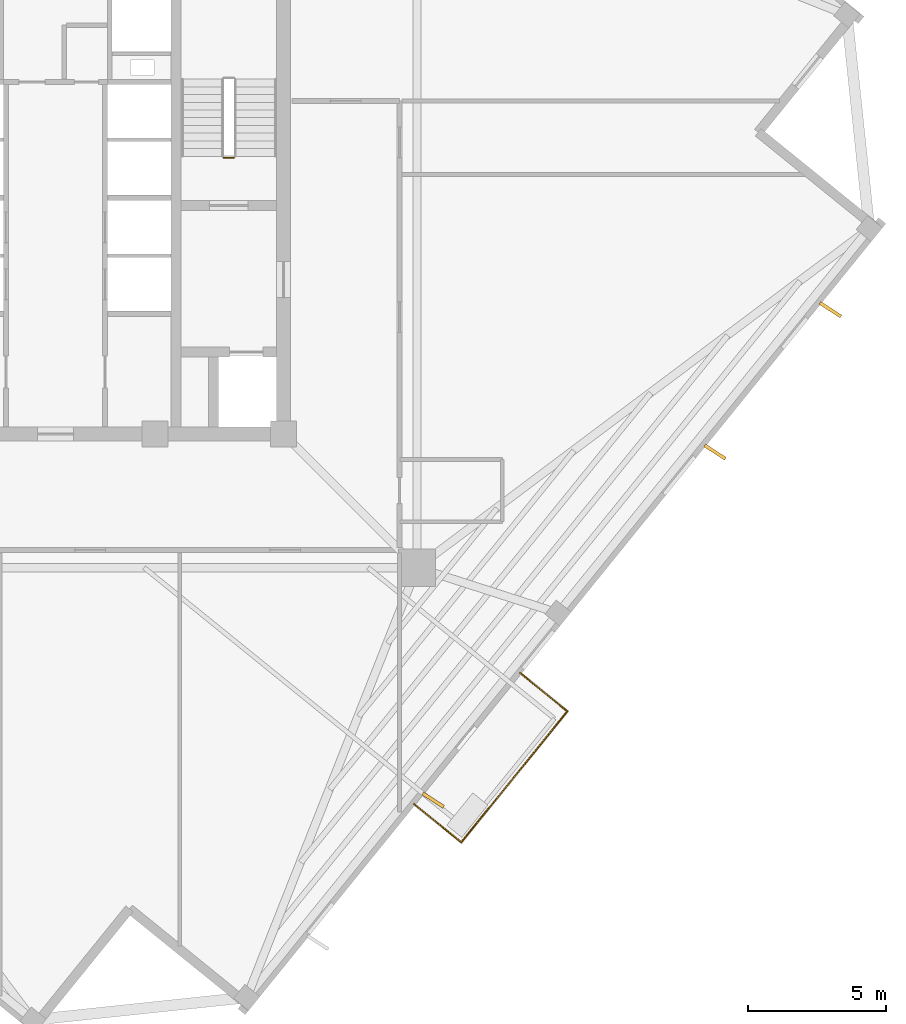
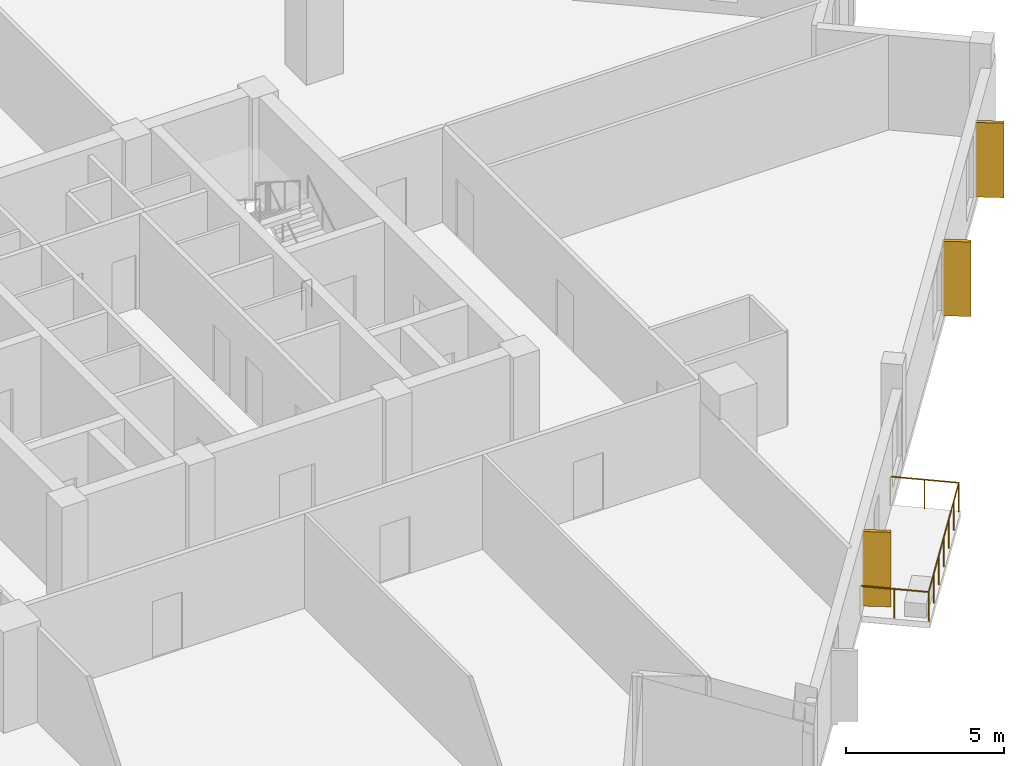
# One storey, part 7 of 9: 4 railings, 3 coverings.
"""IFC4 building model written with IfcOpenShell, lengths in metres."""

from ifc_helpers import new_model, si_unit, direction, frame, origin, origin_2d, place, context, subcontext, project, spatial, rectangle, circle, extrude, source, transform, mapped, material, layer, layer_set, type_object, element, save


model = new_model("IFC4")

# Units and contexts
model_context = context("Model", 3, precision=1e-05, world=origin(), true_north=direction((0.0, 1.0)))
body_context = subcontext(model_context, "Body", "Model", "MODEL_VIEW")
ifc_project = project(units=[si_unit("LENGTHUNIT", "METRE"), si_unit("AREAUNIT", "SQUARE_METRE"), si_unit("VOLUMEUNIT", "CUBIC_METRE"), si_unit("PLANEANGLEUNIT", "RADIAN"), si_unit("MASSUNIT", "GRAM", prefix="KILO"), si_unit("THERMODYNAMICTEMPERATUREUNIT", "KELVIN")], contexts=[model_context])

# Site, building, storey
site_placement = place(None, origin())
site = spatial("IfcSite", under=ifc_project, at=site_placement, CompositionType="ELEMENT")
building_placement = place(site_placement, origin())
building = spatial("IfcBuilding", under=site, at=building_placement, Name="Kosmvard Interchange Tower", CompositionType="ELEMENT")
storey_placement = place(building_placement, frame((0.0, 0.0, 225.10009765625)))
storey = spatial("IfcBuildingStorey", under=building, at=storey_placement, Name="L54", CompositionType="ELEMENT", Elevation=225.10009765625)

# Railings
ifc_material_1 = material(Name="Steel S355", Category="steel")
railing_type_1 = type_object("IfcRailingType", Name="Observation & Balcony Glass-Infill Balustrade 1150", PredefinedType="BALUSTRADE", material=ifc_material_1)
shared_shape_1 = source(origin(), body_context, "Body", "SweptSolid", [
    extrude(circle(Radius=0.02392578125, at=origin_2d()), frame((0.0, 0.0, 1.1259765625), z_axis=(-0.777195763313, 0.629258885904, 0.0), x_axis=(-0.629258885904, -0.777195763313, 0.0)), (0.0, 0.0, 1.0), 2.199951171875),
    extrude(circle(Radius=0.02099609375, at=origin_2d()), origin(), (0.0, 0.0, 1.0), 1.101806640625),
    extrude(circle(Radius=0.02099609375, at=origin_2d()), frame((-0.85498046875, 0.692138671875, 0.0)), (0.0, 0.0, 1.0), 1.101806640625),
    extrude(circle(Radius=0.02099609375, at=origin_2d()), frame((-1.709716796875, 1.38427734375, 0.0)), (0.0, 0.0, 1.0), 1.101806640625),
])
railing_1_placement = place(storey_placement, frame((18.523193359375, -18.281005859375, 0.0)))
element("IfcRailing", 1, at=railing_1_placement, inside=storey, type_object=railing_type_1, Name="L54 Outdoor Terrace Guard BAL-L54-S-C", PredefinedType="BALUSTRADE", context=body_context, shape_type="MappedRepresentation", body=[
    mapped(shared_shape_1, transform((0.0, 0.0, 0.0), scale=1.0)),
])
shared_shape_2 = source(origin(), body_context, "Body", "SweptSolid", [
    extrude(circle(Radius=0.02392578125, at=origin_2d()), frame((0.0, 0.0, 1.1259765625), z_axis=(0.777141488432, -0.629325914736, 0.0), x_axis=(0.629325914736, 0.777141488432, 0.0)), (0.0, 0.0, 1.0), 2.199951171875),
    extrude(circle(Radius=0.02099609375, at=origin_2d()), origin(), (0.0, 0.0, 1.0), 1.101806640625),
    extrude(circle(Radius=0.02099609375, at=origin_2d()), frame((0.85498046875, -0.6923828125, 0.0)), (0.0, 0.0, 1.0), 1.101806640625),
    extrude(circle(Radius=0.02099609375, at=origin_2d()), frame((1.709716796875, -1.384521484375, 0.0)), (0.0, 0.0, 1.0), 1.101806640625),
])
railing_2_placement = place(storey_placement, frame((12.974853515625, -21.63720703125, 0.0)))
element("IfcRailing", 2, at=railing_2_placement, inside=storey, type_object=railing_type_1, Name="L54 Outdoor Terrace Guard BAL-L54-S-A", PredefinedType="BALUSTRADE", context=body_context, shape_type="MappedRepresentation", body=[
    mapped(shared_shape_2, transform((0.0, 0.0, 0.0), scale=1.0)),
])

# Coverings
ifc_material_2 = material(Name="Architectural anodised aluminium", Category="aluminium")
ifc_layer = layer(ifc_material_2, 0.1201171875, Name="Architectural anodised aluminium")
ifc_layer_set = layer_set([ifc_layer], Name="Architectural anodised aluminium")
covering_type = type_object("IfcCoveringType", Name="Rotating Vertical Sun-Breaker Fin 900x120 Aluminium", PredefinedType="CLADDING", material=ifc_layer_set)
shared_shape_3 = source(origin(), body_context, "Body", "SweptSolid", [
    extrude(rectangle(XDim=0.89990234375, YDim=0.1201171875, at=origin_2d()), origin(), (0.0, 0.0, 1.0), 2.8798828125),
])
for number, where, z_axis, x_axis, name in (
    (3, (13.66748046875, -21.49658203125, 0.0400390625), (0.0, 0.0, 1.0), (0.839430209734, -0.543467499475, 0.0), "L54 Rotating Vertical Sun-Breaker Fin 02"),
    (4, (23.86865234375, -8.8994140625, 0.0400390625), (0.0, 0.0, 1.0), (0.839430209734, -0.543467499475, 0.0), "L54 Rotating Vertical Sun-Breaker Fin 03"),
    (5, (28.041748046875, -3.74609375, 0.0400390625), (0.0, 0.0, 1.0), (0.839430209734, -0.543467499475, 0.0), "L54 Rotating Vertical Sun-Breaker Fin 04"),
):
    element("IfcCovering", number, at=place(storey_placement, frame(where, z_axis=z_axis, x_axis=x_axis)), inside=storey, type_object=covering_type, Name=name, PredefinedType="CLADDING", context=body_context, shape_type="MappedRepresentation", body=[
        mapped(shared_shape_3, transform((0.0, 0.0, 0.0), scale=1.0)),
    ])

# Railings
shared_shape_4 = source(origin(), body_context, "Body", "SweptSolid", [
    extrude(circle(Radius=0.02392578125, at=origin_2d()), frame((0.0, 0.0, 1.1259765625), z_axis=(0.629286879001, 0.777173097783, 0.0), x_axis=(-0.777173097783, 0.629286879001, 0.0)), (0.0, 0.0, 1.0), 6.099853515625),
    extrude(circle(Radius=0.02099609375, at=origin_2d()), origin(), (0.0, 0.0, 1.0), 1.101806640625),
    extrude(circle(Radius=0.02099609375, at=origin_2d()), frame((0.6396484375, 0.7900390625, 0.0)), (0.0, 0.0, 1.0), 1.101806640625),
    extrude(circle(Radius=0.02099609375, at=origin_2d()), frame((1.279541015625, 1.580322265625, 0.0)), (0.0, 0.0, 1.0), 1.101806640625),
    extrude(circle(Radius=0.02099609375, at=origin_2d()), frame((1.91943359375, 2.370361328125, 0.0)), (0.0, 0.0, 1.0), 1.101806640625),
    extrude(circle(Radius=0.02099609375, at=origin_2d()), frame((2.55908203125, 3.160400390625, 0.0)), (0.0, 0.0, 1.0), 1.101806640625),
    extrude(circle(Radius=0.02099609375, at=origin_2d()), frame((3.19873046875, 3.95068359375, 0.0)), (0.0, 0.0, 1.0), 1.101806640625),
    extrude(circle(Radius=0.02099609375, at=origin_2d()), frame((3.838623046875, 4.74072265625, 0.0)), (0.0, 0.0, 1.0), 1.101806640625),
])
railing_3_placement = place(storey_placement, frame((14.6845703125, -23.021728515625, 0.0)))
element("IfcRailing", 6, at=railing_3_placement, inside=storey, type_object=railing_type_1, Name="L54 Outdoor Terrace Guard BAL-L54-S-B", PredefinedType="BALUSTRADE", context=body_context, shape_type="MappedRepresentation", body=[
    mapped(shared_shape_4, transform((0.0, 0.0, 0.0), scale=1.0)),
])
railing_type_2 = type_object("IfcRailingType", Name="Stair & Terrace Safety Guardrail 1100 Steel", PredefinedType="GUARDRAIL", material=ifc_material_1)
shared_shape_5 = source(origin(), body_context, "Body", "SweptSolid", [
    extrude(circle(Radius=0.02392578125, at=origin_2d()), frame((0.0, 0.0, 1.076171875), z_axis=(-1.0, 0.0, 0.0), x_axis=(0.0, -1.0, 0.0)), (0.0, 0.0, 1.0), 0.35986328125),
    extrude(circle(Radius=0.02099609375, at=origin_2d()), origin(), (0.0, 0.0, 1.0), 1.052001953125),
    extrude(circle(Radius=0.02099609375, at=origin_2d()), frame((-0.35986328125, 0.0, 0.0)), (0.0, 0.0, 1.0), 1.052001953125),
])
railing_4_placement = place(storey_placement, frame((6.449951171875, 1.75, 0.0)))
element("IfcRailing", 7, at=railing_4_placement, inside=storey, type_object=railing_type_2, Name="L54 ST-2 stair guard 4", PredefinedType="GUARDRAIL", context=body_context, shape_type="MappedRepresentation", body=[
    mapped(shared_shape_5, transform((0.0, 0.0, 0.0), scale=1.0)),
])

save(model, "model.ifc")
